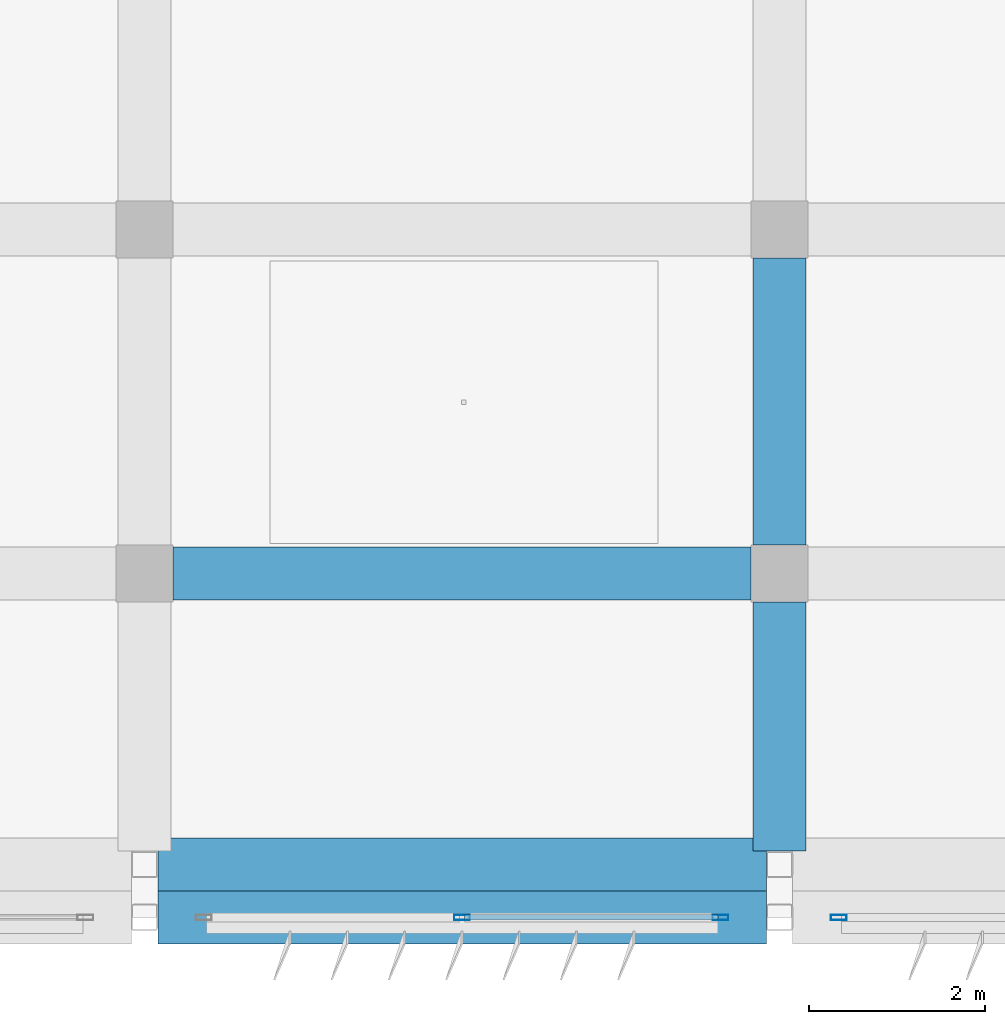
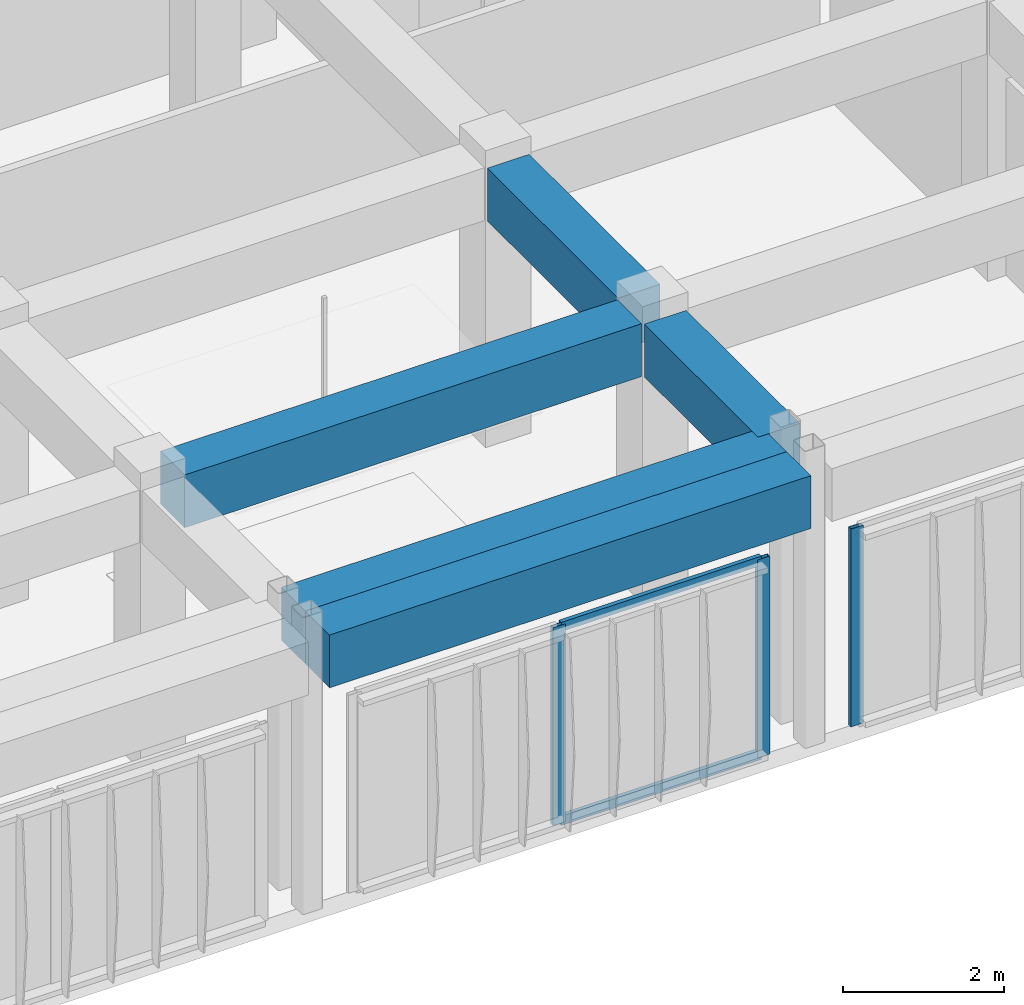
# One storey, part 5 of 56: 5 beams, 5 members, 2 elements without a shape of their own.
"""IFC4 building model written with IfcOpenShell, lengths in metres."""

import ifcopenshell
import ifcopenshell.guid

model = None  # the IFC model being written
_history = None  # IfcOwnerHistory: only IFC2X3 demands one
_inside = {}  # id of a spatial element -> (the spatial element, [elements in it])
_under = {}  # id of a project, library or spatial element -> (it, [spatial elements below it])
_declared = {}  # id of a project -> (the project, [libraries it declares])
_typed = {}  # id of a type object -> (the type object, [elements of that type])
_made_of = {}  # id of a material, layer set ... -> (it, [elements and type objects made of it])


def new_model(schema):
    """Start an empty IFC model of exactly this schema.

    Asked for "IFC4X3", IfcOpenShell would pick the latest addendum, in which some entities
    have other attributes; the version numbers below select the first issue.
    IFC2X3 requires an IfcOwnerHistory on every rooted entity: one is made here for all.
    """
    global model, _history
    if schema == "IFC4X3":
        model = ifcopenshell.file(schema_version=(4, 3, 0, 0))
    else:
        model = ifcopenshell.file(schema=schema)
    _inside.clear()
    _under.clear()
    _declared.clear()
    _typed.clear()
    _made_of.clear()
    _history = None
    if model.schema == "IFC2X3":
        org = make("IfcOrganization", Name="unknown")
        user = make(
            "IfcPersonAndOrganization",
            ThePerson=make("IfcPerson", FamilyName="unknown"),
            TheOrganization=org,
        )
        app = make(
            "IfcApplication",
            ApplicationDeveloper=org,
            Version="unknown",
            ApplicationFullName="unknown",
            ApplicationIdentifier="unknown",
        )
        _history = make(
            "IfcOwnerHistory",
            OwningUser=user,
            OwningApplication=app,
            ChangeAction="ADDED",
            CreationDate=0,
        )
    return model


def make(cls, **values):
    """One entity of the class cls with the attributes given. An attribute that is None is left unset."""
    return model.create_entity(
        cls, **{name: value for name, value in values.items() if value is not None}
    )


def rooted(cls, **values):
    """An entity with a GlobalId (a new one), such as an element, a storey or a relation."""
    return make(cls, GlobalId=ifcopenshell.guid.new(), OwnerHistory=_history, **values)


def si_unit(unit_type, name, prefix=None):
    """IfcSIUnit, for example si_unit("LENGTHUNIT", "METRE", prefix="MILLI")."""
    return make("IfcSIUnit", UnitType=unit_type, Prefix=prefix, Name=name)


def assignment(units):
    """IfcUnitAssignment: the units of a project."""
    return None if units is None else make("IfcUnitAssignment", Units=units)


def point(xyz):
    """IfcCartesianPoint."""
    return None if xyz is None else make("IfcCartesianPoint", Coordinates=xyz)


def direction(xyz):
    """IfcDirection."""
    return None if xyz is None else make("IfcDirection", DirectionRatios=xyz)


def frame(location, z_axis=None, x_axis=None):
    """IfcAxis2Placement3D, a coordinate frame: its origin and axes. An axis left out is left unset."""
    return make(
        "IfcAxis2Placement3D",
        Location=point(location),
        Axis=direction(z_axis),
        RefDirection=direction(x_axis),
    )


def frame_2d(location, x_axis=None):
    """IfcAxis2Placement2D, a coordinate frame in the plane: its origin and x axis."""
    return make(
        "IfcAxis2Placement2D", Location=point(location), RefDirection=direction(x_axis)
    )


def origin():
    """The frame at (0, 0, 0) with its axes left unset."""
    return frame((0.0, 0.0, 0.0))


def origin_2d():
    """The frame at (0, 0) in the plane with its x axis left unset."""
    return frame_2d((0.0, 0.0))


def place(relative_to, where):
    """IfcLocalPlacement: puts the frame where relative to a parent placement (None: the world)."""
    return make(
        "IfcLocalPlacement", PlacementRelTo=relative_to, RelativePlacement=where
    )


def context(
    kind, dimensions, precision=None, world=None, true_north=None, identifier=None
):
    """IfcGeometricRepresentationContext, for example the 3D "Model" context."""
    return make(
        "IfcGeometricRepresentationContext",
        ContextIdentifier=identifier,
        ContextType=kind,
        CoordinateSpaceDimension=dimensions,
        Precision=precision,
        WorldCoordinateSystem=world,
        TrueNorth=true_north,
    )


def subcontext(parent, identifier, kind, view, scale=None):
    """IfcGeometricRepresentationSubContext, for example "Body" below "Model"."""
    return make(
        "IfcGeometricRepresentationSubContext",
        ContextIdentifier=identifier,
        ContextType=kind,
        ParentContext=parent,
        TargetScale=scale,
        TargetView=view,
    )


def project(units=None, contexts=None):
    """IfcProject with its units and contexts."""
    return rooted(
        "IfcProject",
        Name="project",
        RepresentationContexts=contexts,
        UnitsInContext=assignment(units),
    )


def spatial(cls, under=None, at=None, **own):
    """A site, building, storey or space (cls), placed at a placement, below another one or the project."""
    s = rooted(cls, ObjectPlacement=at, **own)
    if under is not None:
        _under.setdefault(under.id(), (under, []))[1].append(s)
    return s


def profile(cls, at=None, kind="AREA", **sizes):
    """A parametric profile (cls). Its sizes go by their IFC names, for example OverallWidth=200.0."""
    return make(cls, ProfileType=kind, Position=at, **sizes)


def rectangle(**sizes):
    """IfcRectangleProfileDef."""
    return profile("IfcRectangleProfileDef", **sizes)


def hollow_rectangle(**sizes):
    """IfcRectangleHollowProfileDef."""
    return profile("IfcRectangleHollowProfileDef", **sizes)


def extrude(swept, where, along, depth):
    """IfcExtrudedAreaSolid: the profile swept, set in the frame where, extruded along a direction by depth."""
    return make(
        "IfcExtrudedAreaSolid",
        SweptArea=swept,
        Position=where,
        ExtrudedDirection=direction(along),
        Depth=depth,
    )


def shape(context_of_items, identifier, shape_type, items):
    """IfcShapeRepresentation: the items that make up one representation, for example the "Body"."""
    return make(
        "IfcShapeRepresentation",
        ContextOfItems=context_of_items,
        RepresentationIdentifier=identifier,
        RepresentationType=shape_type,
        Items=items,
    )


def material(Name=None, Category=None):
    """IfcMaterial."""
    return make("IfcMaterial", Name=Name, Category=Category)


def material_profile(
    of_material, cross_section, Name=None, Category=None, Priority=None
):
    """IfcMaterialProfile: a cross section and its material."""
    return make(
        "IfcMaterialProfile",
        Name=Name,
        Material=of_material,
        Profile=cross_section,
        Priority=Priority,
        Category=Category,
    )


def profile_set(profiles, Name=None, composite=None):
    """IfcMaterialProfileSet."""
    return make(
        "IfcMaterialProfileSet",
        Name=Name,
        MaterialProfiles=profiles,
        CompositeProfile=composite,
    )


def made_of(thing, what):
    """Note that an element or type object is made of a material, layer set ...; save() writes the relation."""
    if what is not None:
        _made_of.setdefault(what.id(), (what, []))[1].append(thing)
    return thing


def type_object(cls, material=None, **own):
    """A type object (cls), such as IfcWallType, which elements share."""
    return made_of(rooted(cls, **own), material)


def element(
    cls,
    number,
    at=None,
    inside=None,
    cuts=None,
    type_object=None,
    material=None,
    context=None,
    identifier="Body",
    shape_type=None,
    held_by="IfcProductDefinitionShape",
    body=None,
    shapes=None,
    **own,
):
    """One element of the class cls, such as IfcWall. Its Tag is "e" and its number.

    at: its placement. inside: the storey or other place that contains it. cuts: it is an
    opening in that element (IfcRelVoidsElement). A single representation is given by context,
    identifier, shape_type and body (its items); several are given by shapes. held_by: the class
    of the entity that holds the representations. save() writes the other relations.
    """
    e = rooted(cls, Tag="e%d" % number, ObjectPlacement=at, **own)
    if body is not None:
        shapes = [shape(context, identifier, shape_type, body)]
    if shapes is not None:
        e.Representation = make(held_by, Representations=shapes)
    if inside is not None:
        _inside.setdefault(inside.id(), (inside, []))[1].append(e)
    if cuts is not None:
        rooted(
            "IfcRelVoidsElement", RelatingBuildingElement=cuts, RelatedOpeningElement=e
        )
    if type_object is not None:
        _typed.setdefault(type_object.id(), (type_object, []))[1].append(e)
    return made_of(e, material)


def aggregate(whole, parts):
    """IfcRelAggregates: a whole, such as a stair, and the parts it consists of."""
    return rooted("IfcRelAggregates", RelatingObject=whole, RelatedObjects=parts)


def save(model, path):
    """Write the relations noted so far, then the file.

    IfcRelAggregates (storeys below a building ...), IfcRelContainedInSpatialStructure (elements
    in a storey), IfcRelDefinesByType, IfcRelAssociatesMaterial and IfcRelDeclares: one each for
    every whole, place, type object, material and project.
    """
    for whole, parts in _under.values():
        aggregate(whole, parts)
    for where, things in _inside.values():
        rooted(
            "IfcRelContainedInSpatialStructure",
            RelatedElements=things,
            RelatingStructure=where,
        )
    for kind, things in _typed.values():
        rooted("IfcRelDefinesByType", RelatedObjects=things, RelatingType=kind)
    for what, things in _made_of.values():
        rooted("IfcRelAssociatesMaterial", RelatedObjects=things, RelatingMaterial=what)
    for by, libraries in _declared.values():
        rooted("IfcRelDeclares", RelatingContext=by, RelatedDefinitions=libraries)
    model.write(path)


model = new_model("IFC4")

# Units and contexts
model_context = context("Model", 3, precision=1e-05, world=origin(), true_north=direction((0.0, 1.0)))
body_context = subcontext(model_context, "Body", "Model", "MODEL_VIEW")
ifc_project = project(units=[si_unit("LENGTHUNIT", "METRE"), si_unit("AREAUNIT", "SQUARE_METRE"), si_unit("VOLUMEUNIT", "CUBIC_METRE"), si_unit("PLANEANGLEUNIT", "RADIAN"), si_unit("MASSUNIT", "GRAM", prefix="KILO")], contexts=[model_context])

# Site, building, storey
site_placement = place(None, origin())
site = spatial("IfcSite", under=ifc_project, at=site_placement, CompositionType="ELEMENT")
building_placement = place(site_placement, origin())
building = spatial("IfcBuilding", under=site, at=building_placement, Name="Kazehaya Institute of Natural Sciences", CompositionType="ELEMENT")
storey_placement = place(building_placement, frame((0.0, 0.0, 28.800048828125)))
storey = spatial("IfcBuildingStorey", under=building, at=storey_placement, Name="L06", CompositionType="ELEMENT", Elevation=28.800048828125)

# Beams
ifc_material_1 = material(Name="Concrete Fc36", Category="concrete")
ifc_material_profile_1 = material_profile(ifc_material_1, rectangle(XDim=0.60009765625, YDim=0.800048828125, at=origin_2d()), Name="RC-600x800")
ifc_profile_set_1 = profile_set([ifc_material_profile_1], Name="Concrete Fc36")
beam_type = type_object("IfcBeamType", Name="BM-G-600x800", PredefinedType="BEAM", material=ifc_profile_set_1)
for number, where, z_axis, x_axis, name in (
    (1, (61.949951171875, 6.199951171875, 3.829833984375), (1.0, 0.0, 0.0), (0.0, 1.0, 0.0), "L06 primary X girder BMX-L06-618-62"),
    (2, (61.949951171875, 6.800048828125, 3.829833984375), (1.0, 0.0, 0.0), (0.0, 1.0, 0.0), "L06 primary X girder BMX-L06-618-68"),
):
    element("IfcBeam", number, at=place(storey_placement, frame(where, z_axis=z_axis, x_axis=x_axis)), inside=storey, type_object=beam_type, Name=name, PredefinedType="BEAM", context=body_context, shape_type="SweptSolid", body=[
        extrude(rectangle(XDim=0.60009765625, YDim=0.800048828125, at=origin_2d()), origin(), (0.0, 0.0, 1.0), 6.900146484375),
    ])
beam_1_placement = place(storey_placement, frame((62.125, 10.10009765625, 3.829833984375), z_axis=(1.0, 0.0, 0.0), x_axis=(0.0, 1.0, 0.0)))
element("IfcBeam", 3, at=beam_1_placement, inside=storey, type_object=beam_type, Name="L06 primary X girder BMX-L06-618-101", PredefinedType="BEAM", context=body_context, shape_type="SweptSolid", body=[
    extrude(rectangle(XDim=0.60009765625, YDim=0.800048828125, at=origin_2d()), origin(), (0.0, 0.0, 1.0), 6.550048828125),
])
beam_2_placement = place(storey_placement, frame((69.0, 6.949951171875, 3.829833984375), z_axis=(0.0, 1.0, 0.0), x_axis=(-1.0, 0.0, 0.0)))
element("IfcBeam", 4, at=beam_2_placement, inside=storey, type_object=beam_type, Name="L06 primary Y girder BMY-L06-690-68", PredefinedType="BEAM", context=body_context, shape_type="SweptSolid", body=[
    extrude(rectangle(XDim=0.60009765625, YDim=0.800048828125, at=origin_2d()), origin(), (0.0, 0.0, 1.0), 2.824951171875),
])
beam_3_placement = place(storey_placement, frame((69.0, 10.425048828125, 3.829833984375), z_axis=(0.0, 1.0, 0.0), x_axis=(-1.0, 0.0, 0.0)))
element("IfcBeam", 5, at=beam_3_placement, inside=storey, type_object=beam_type, Name="L06 primary Y girder BMY-L06-690-101", PredefinedType="BEAM", context=body_context, shape_type="SweptSolid", body=[
    extrude(rectangle(XDim=0.60009765625, YDim=0.800048828125, at=origin_2d()), origin(), (0.0, 0.0, 1.0), 3.25),
])

# Curtain wall, member
ifc_material_2 = material(Name="Aluminium alloy A6063S-T5", Category="aluminium")
curtain_wall_type = type_object("IfcCurtainWallType", Name="CW-SYS-04", PredefinedType="NOTDEFINED", material=ifc_material_2)
curtain_wall_1_placement = place(storey_placement, origin())
curtain_wall_1 = element("IfcCurtainWall", 6, at=curtain_wall_1_placement, inside=storey, type_object=curtain_wall_type, Name="L06 unitised curtain wall CW-L06-126", PredefinedType="NOTDEFINED")
ifc_material_profile_2 = material_profile(ifc_material_2, hollow_rectangle(XDim=0.06005859375, YDim=0.179931640625, WallThickness=0.00390625, at=origin_2d()), Name="ALU-60x180x4")
ifc_profile_set_2 = profile_set([ifc_material_profile_2], Name="Aluminium alloy A6063S-T5")
member_type_1 = type_object("IfcMemberType", Name="CWM-180", PredefinedType="MULLION", material=ifc_profile_set_2)
member_1_placement = place(storey_placement, frame((69.669921875, 6.199951171875, 0.0), z_axis=(0.0, 0.0, 1.0), x_axis=(0.0, -1.0, 0.0)))
member_1 = element("IfcMember", 7, at=member_1_placement, type_object=member_type_1, Name="CW04 mullion 3", PredefinedType="MULLION", context=body_context, shape_type="SweptSolid", body=[
    extrude(hollow_rectangle(XDim=0.06005859375, YDim=0.179931640625, WallThickness=0.00390625, at=origin_2d()), origin(), (0.0, 0.0, 1.0), 3.0),
])
aggregate(curtain_wall_1, [member_1])

# Curtain wall, members
curtain_wall_2_placement = place(storey_placement, origin())
curtain_wall_2 = element("IfcCurtainWall", 8, at=curtain_wall_2_placement, inside=storey, type_object=curtain_wall_type, Name="L06 unitised curtain wall CW-L06-127", PredefinedType="NOTDEFINED")
member_2_placement = place(storey_placement, frame((68.330078125, 6.199951171875, 0.0), z_axis=(0.0, 0.0, 1.0), x_axis=(0.0, -1.0, 0.0)))
member_2 = element("IfcMember", 9, at=member_2_placement, type_object=member_type_1, Name="CW04 mullion 1", PredefinedType="MULLION", context=body_context, shape_type="SweptSolid", body=[
    extrude(hollow_rectangle(XDim=0.06005859375, YDim=0.179931640625, WallThickness=0.00390625, at=origin_2d()), origin(), (0.0, 0.0, 1.0), 3.0),
])
member_3_placement = place(storey_placement, frame((65.39990234375, 6.199951171875, 0.0), z_axis=(0.0, 0.0, 1.0), x_axis=(0.0, -1.0, 0.0)))
member_3 = element("IfcMember", 10, at=member_3_placement, type_object=member_type_1, Name="CW04 mullion 2", PredefinedType="MULLION", context=body_context, shape_type="SweptSolid", body=[
    extrude(hollow_rectangle(XDim=0.06005859375, YDim=0.179931640625, WallThickness=0.00390625, at=origin_2d()), origin(), (0.0, 0.0, 1.0), 3.0),
])
ifc_material_profile_3 = material_profile(ifc_material_2, hollow_rectangle(XDim=0.06005859375, YDim=0.139892578125, WallThickness=0.00341796875, at=origin_2d()), Name="ALU-60x140x3.5")
ifc_profile_set_3 = profile_set([ifc_material_profile_3], Name="Aluminium alloy A6063S-T5")
member_type_2 = type_object("IfcMemberType", Name="CWT-140", PredefinedType="USERDEFINED", material=ifc_profile_set_3)
member_4_placement = place(storey_placement, frame((68.300048828125, 6.199951171875, 0.030029296875), z_axis=(-1.0, 0.0, 0.0), x_axis=(0.0, -1.0, 0.0)))
member_4 = element("IfcMember", 11, at=member_4_placement, type_object=member_type_2, Name="CW04 transom 1.1", ObjectType="TRANSOM", PredefinedType="USERDEFINED", context=body_context, shape_type="SweptSolid", body=[
    extrude(hollow_rectangle(XDim=0.06005859375, YDim=0.139892578125, WallThickness=0.00341796875, at=origin_2d()), origin(), (0.0, 0.0, 1.0), 2.8701171875),
])
member_5_placement = place(storey_placement, frame((68.300048828125, 6.199951171875, 2.969970703125), z_axis=(-1.0, 0.0, 0.0), x_axis=(0.0, -1.0, 0.0)))
member_5 = element("IfcMember", 12, at=member_5_placement, type_object=member_type_2, Name="CW04 transom 1.2", ObjectType="TRANSOM", PredefinedType="USERDEFINED", context=body_context, shape_type="SweptSolid", body=[
    extrude(hollow_rectangle(XDim=0.06005859375, YDim=0.139892578125, WallThickness=0.00341796875, at=origin_2d()), origin(), (0.0, 0.0, 1.0), 2.8701171875),
])
aggregate(curtain_wall_2, [member_2, member_3, member_4, member_5])

save(model, "model.ifc")
